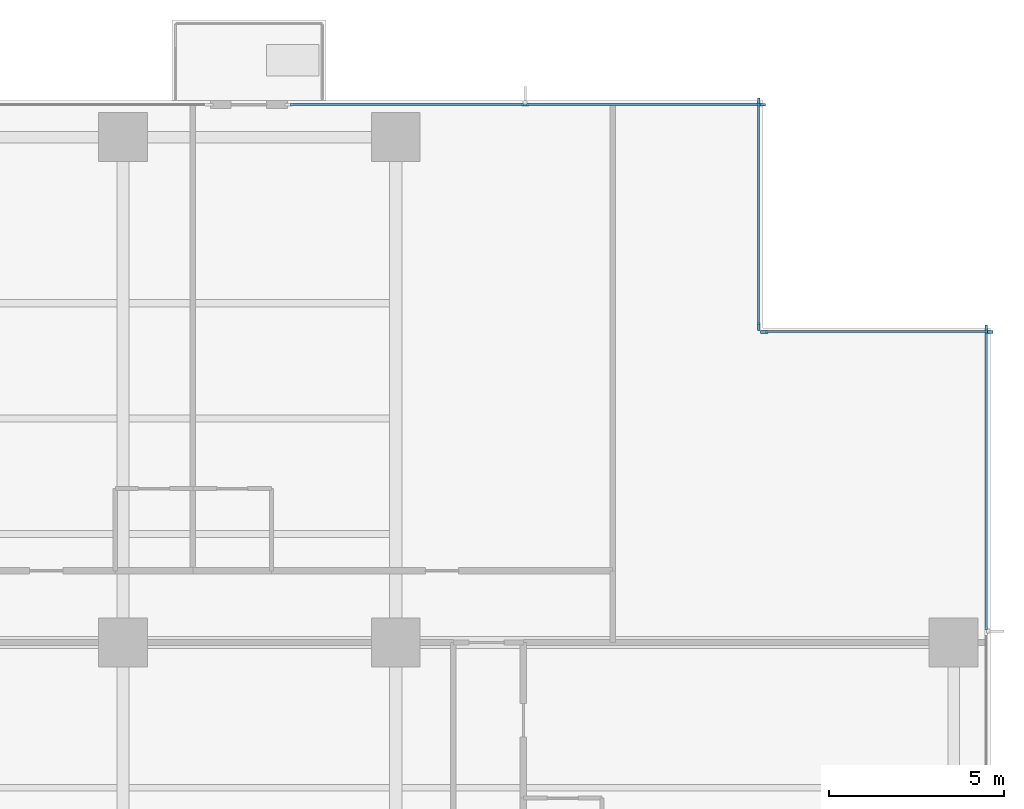
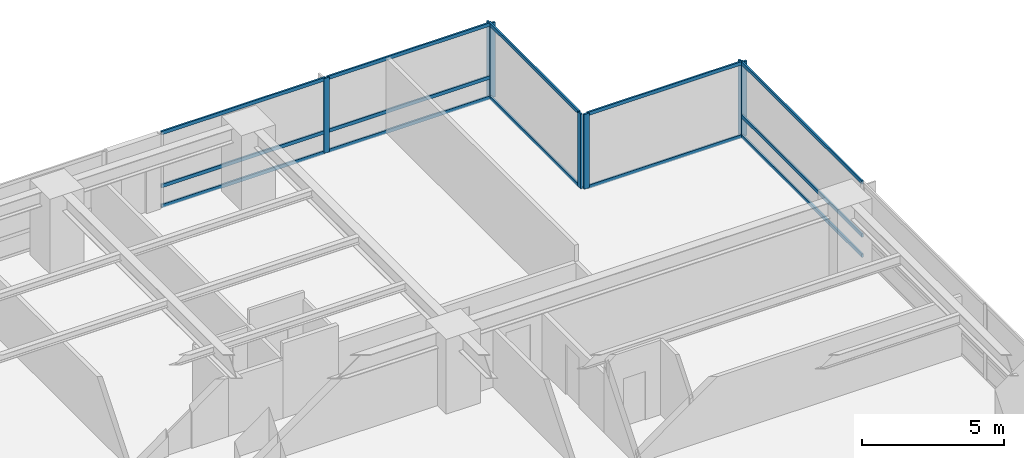
# One storey, part 5 of 16: 20 members, 4 elements without a shape of their own.
"""IFC4 building model written with IfcOpenShell, lengths in metres."""

from ifc_helpers import new_model, si_unit, direction, frame, origin, origin_2d, place, context, subcontext, project, spatial, rectangle, extrude, material, layer, layer_set, material_profile, profile_set, type_object, element, aggregate, save


model = new_model("IFC4")

# Units and contexts
model_context = context("Model", 3, precision=1e-05, world=origin(), true_north=direction((0.0, 1.0)))
body_context = subcontext(model_context, "Body", "Model", "MODEL_VIEW")
ifc_project = project(units=[si_unit("LENGTHUNIT", "METRE"), si_unit("AREAUNIT", "SQUARE_METRE"), si_unit("VOLUMEUNIT", "CUBIC_METRE"), si_unit("PLANEANGLEUNIT", "RADIAN"), si_unit("MASSUNIT", "GRAM", prefix="KILO")], contexts=[model_context])

# Site, building, storey
site_placement = place(None, origin())
site = spatial("IfcSite", under=ifc_project, at=site_placement, CompositionType="ELEMENT")
building_placement = place(site_placement, origin())
building = spatial("IfcBuilding", under=site, at=building_placement, Name="Qalmaran Belvedere Hotel", CompositionType="ELEMENT")
storey_placement = place(building_placement, frame((0.0, 0.0, 64.89990234375)))
storey = spatial("IfcBuildingStorey", under=building, at=storey_placement, Name="L16", CompositionType="ELEMENT", Elevation=64.89990234375)

# Curtain wall, member
ifc_material = material(Name="Anodised Bronze Aluminium", Category="aluminium")
ifc_layer = layer(ifc_material, 0.2099609375, Name="Anodised Bronze Aluminium")
ifc_layer_set = layer_set([ifc_layer], Name="Anodised Bronze Aluminium")
curtain_wall_type = type_object("IfcCurtainWallType", Name="CW2-TOWER-LOWER", PredefinedType="NOTDEFINED", material=ifc_layer_set)
curtain_wall_1_placement = place(storey_placement, origin())
curtain_wall_1 = element("IfcCurtainWall", 1, at=curtain_wall_1_placement, inside=storey, type_object=curtain_wall_type, Name="L16 Curtain Wall CW2", PredefinedType="NOTDEFINED")
ifc_material_profile_1 = material_profile(ifc_material, rectangle(XDim=0.074951171875, YDim=0.219970703125, at=origin_2d()), Name="CWM75X220")
ifc_profile_set_1 = profile_set([ifc_material_profile_1], Name="Anodised Bronze Aluminium")
member_type_1 = type_object("IfcMemberType", Name="CWM-75X220", PredefinedType="MULLION", material=ifc_profile_set_1)
member_1_placement = place(storey_placement, frame((61.679931640625, 41.96240234375, 0.0), z_axis=(0.0, 0.0, 1.0), x_axis=(-1.0, 0.0, 0.0)))
member_1 = element("IfcMember", 2, at=member_1_placement, type_object=member_type_1, Name="CW2 mullion 5", PredefinedType="MULLION", context=body_context, shape_type="SweptSolid", body=[
    extrude(rectangle(XDim=0.074951171875, YDim=0.219970703125, at=origin_2d()), origin(), (0.0, 0.0, 1.0), 3.22021484375),
])

# Curtain wall, members
curtain_wall_2_placement = place(storey_placement, origin())
curtain_wall_2 = element("IfcCurtainWall", 3, at=curtain_wall_2_placement, inside=storey, type_object=curtain_wall_type, Name="L16 Curtain Wall CW2", PredefinedType="NOTDEFINED")
member_2_placement = place(storey_placement, frame((61.762451171875, 41.8798828125, 0.0), z_axis=(0.0, 0.0, 1.0), x_axis=(0.0, -1.0, 0.0)))
member_2 = element("IfcMember", 4, at=member_2_placement, type_object=member_type_1, Name="CW2 mullion 1", PredefinedType="MULLION", context=body_context, shape_type="SweptSolid", body=[
    extrude(rectangle(XDim=0.074951171875, YDim=0.219970703125, at=origin_2d()), origin(), (0.0, 0.0, 1.0), 3.22021484375),
])
member_3_placement = place(storey_placement, frame((55.33740234375, 41.8798828125, 0.0), z_axis=(0.0, 0.0, 1.0), x_axis=(0.0, -1.0, 0.0)))
member_3 = element("IfcMember", 5, at=member_3_placement, type_object=member_type_1, Name="CW2 mullion 2", PredefinedType="MULLION", context=body_context, shape_type="SweptSolid", body=[
    extrude(rectangle(XDim=0.074951171875, YDim=0.219970703125, at=origin_2d()), origin(), (0.0, 0.0, 1.0), 3.22021484375),
])

curtain_wall_3_placement = place(storey_placement, origin())
curtain_wall_3 = element("IfcCurtainWall", 6, at=curtain_wall_3_placement, inside=storey, type_object=curtain_wall_type, Name="L16 Curtain Wall CW2", PredefinedType="NOTDEFINED")
member_4_placement = place(storey_placement, frame((55.179931640625, 42.03759765625, 0.0), z_axis=(0.0, 0.0, 1.0), x_axis=(-1.0, 0.0, 0.0)))
member_4 = element("IfcMember", 7, at=member_4_placement, type_object=member_type_1, Name="CW2 mullion 1", PredefinedType="MULLION", context=body_context, shape_type="SweptSolid", body=[
    extrude(rectangle(XDim=0.074951171875, YDim=0.219970703125, at=origin_2d()), origin(), (0.0, 0.0, 1.0), 3.22021484375),
])
member_5_placement = place(storey_placement, frame((55.179931640625, 48.46240234375, 0.0), z_axis=(0.0, 0.0, 1.0), x_axis=(-1.0, 0.0, 0.0)))
member_5 = element("IfcMember", 8, at=member_5_placement, type_object=member_type_1, Name="CW2 mullion 2", PredefinedType="MULLION", context=body_context, shape_type="SweptSolid", body=[
    extrude(rectangle(XDim=0.074951171875, YDim=0.219970703125, at=origin_2d()), origin(), (0.0, 0.0, 1.0), 3.22021484375),
])

curtain_wall_4_placement = place(storey_placement, origin())
curtain_wall_4 = element("IfcCurtainWall", 9, at=curtain_wall_4_placement, inside=storey, type_object=curtain_wall_type, Name="L16 Curtain Wall CW2", PredefinedType="NOTDEFINED")
member_6_placement = place(storey_placement, frame((55.262451171875, 48.3798828125, 0.0), z_axis=(0.0, 0.0, 1.0), x_axis=(0.0, -1.0, 0.0)))
member_6 = element("IfcMember", 10, at=member_6_placement, type_object=member_type_1, Name="CW2 mullion 1", PredefinedType="MULLION", context=body_context, shape_type="SweptSolid", body=[
    extrude(rectangle(XDim=0.074951171875, YDim=0.219970703125, at=origin_2d()), origin(), (0.0, 0.0, 1.0), 3.22021484375),
])
member_7_placement = place(storey_placement, frame((48.5, 48.3798828125, 0.0), z_axis=(0.0, 0.0, 1.0), x_axis=(0.0, -1.0, 0.0)))
member_7 = element("IfcMember", 11, at=member_7_placement, type_object=member_type_1, Name="CW2 mullion 2", PredefinedType="MULLION", context=body_context, shape_type="SweptSolid", body=[
    extrude(rectangle(XDim=0.074951171875, YDim=0.219970703125, at=origin_2d()), origin(), (0.0, 0.0, 1.0), 3.22021484375),
])

# Member
ifc_material_profile_2 = material_profile(ifc_material, rectangle(XDim=0.070068359375, YDim=0.14990234375, at=origin_2d()), Name="CWT70X150")
ifc_profile_set_2 = profile_set([ifc_material_profile_2], Name="Anodised Bronze Aluminium")
member_type_2 = type_object("IfcMemberType", Name="CWT-70X150", PredefinedType="USERDEFINED", material=ifc_profile_set_2)
member_8_placement = place(storey_placement, frame((61.679931640625, 33.362548828125, 0.03515625), z_axis=(0.0, 1.0, 0.0), x_axis=(-1.0, 0.0, 0.0)))
member_8 = element("IfcMember", 12, at=member_8_placement, type_object=member_type_2, Name="CW2 transom 4.1", ObjectType="TRANSOM", PredefinedType="USERDEFINED", context=body_context, shape_type="SweptSolid", body=[
    extrude(rectangle(XDim=0.070068359375, YDim=0.14990234375, at=origin_2d()), origin(), (0.0, 0.0, 1.0), 8.5625),
])

member_9_placement = place(storey_placement, frame((61.679931640625, 33.362548828125, 0.901611328125), z_axis=(0.0, 1.0, 0.0), x_axis=(-1.0, 0.0, 0.0)))
member_9 = element("IfcMember", 13, at=member_9_placement, type_object=member_type_2, Name="CW2 transom 4.2", ObjectType="TRANSOM", PredefinedType="USERDEFINED", context=body_context, shape_type="SweptSolid", body=[
    extrude(rectangle(XDim=0.070068359375, YDim=0.14990234375, at=origin_2d()), origin(), (0.0, 0.0, 1.0), 8.5625),
])

member_10_placement = place(storey_placement, frame((61.679931640625, 33.362548828125, 3.18505859375), z_axis=(0.0, 1.0, 0.0), x_axis=(-1.0, 0.0, 0.0)))
member_10 = element("IfcMember", 14, at=member_10_placement, type_object=member_type_2, Name="CW2 transom 4.3", ObjectType="TRANSOM", PredefinedType="USERDEFINED", context=body_context, shape_type="SweptSolid", body=[
    extrude(rectangle(XDim=0.070068359375, YDim=0.14990234375, at=origin_2d()), origin(), (0.0, 0.0, 1.0), 8.5625),
])

aggregate(curtain_wall_1, [member_1, member_8, member_9, member_10])

member_11_placement = place(storey_placement, frame((61.72509765625, 41.8798828125, 0.03515625), z_axis=(-1.0, 0.0, 0.0), x_axis=(0.0, -1.0, 0.0)))
member_11 = element("IfcMember", 15, at=member_11_placement, type_object=member_type_2, Name="CW2 transom 1.1", ObjectType="TRANSOM", PredefinedType="USERDEFINED", context=body_context, shape_type="SweptSolid", body=[
    extrude(rectangle(XDim=0.070068359375, YDim=0.14990234375, at=origin_2d()), origin(), (0.0, 0.0, 1.0), 6.35009765625),
])

member_12_placement = place(storey_placement, frame((61.72509765625, 41.8798828125, 3.18505859375), z_axis=(-1.0, 0.0, 0.0), x_axis=(0.0, -1.0, 0.0)))
member_12 = element("IfcMember", 16, at=member_12_placement, type_object=member_type_2, Name="CW2 transom 1.2", ObjectType="TRANSOM", PredefinedType="USERDEFINED", context=body_context, shape_type="SweptSolid", body=[
    extrude(rectangle(XDim=0.070068359375, YDim=0.14990234375, at=origin_2d()), origin(), (0.0, 0.0, 1.0), 6.35009765625),
])

aggregate(curtain_wall_2, [member_2, member_3, member_11, member_12])

member_13_placement = place(storey_placement, frame((55.179931640625, 42.074951171875, 0.03515625), z_axis=(0.0, 1.0, 0.0), x_axis=(-1.0, 0.0, 0.0)))
member_13 = element("IfcMember", 17, at=member_13_placement, type_object=member_type_2, Name="CW2 transom 1.1", ObjectType="TRANSOM", PredefinedType="USERDEFINED", context=body_context, shape_type="SweptSolid", body=[
    extrude(rectangle(XDim=0.070068359375, YDim=0.14990234375, at=origin_2d()), origin(), (0.0, 0.0, 1.0), 6.35009765625),
])

member_14_placement = place(storey_placement, frame((55.179931640625, 42.074951171875, 3.18505859375), z_axis=(0.0, 1.0, 0.0), x_axis=(-1.0, 0.0, 0.0)))
member_14 = element("IfcMember", 18, at=member_14_placement, type_object=member_type_2, Name="CW2 transom 1.2", ObjectType="TRANSOM", PredefinedType="USERDEFINED", context=body_context, shape_type="SweptSolid", body=[
    extrude(rectangle(XDim=0.070068359375, YDim=0.14990234375, at=origin_2d()), origin(), (0.0, 0.0, 1.0), 6.35009765625),
])

aggregate(curtain_wall_3, [member_4, member_5, member_13, member_14])

member_15_placement = place(storey_placement, frame((55.22509765625, 48.3798828125, 0.03515625), z_axis=(-1.0, 0.0, 0.0), x_axis=(0.0, -1.0, 0.0)))
member_15 = element("IfcMember", 19, at=member_15_placement, type_object=member_type_2, Name="CW2 transom 1.1", ObjectType="TRANSOM", PredefinedType="USERDEFINED", context=body_context, shape_type="SweptSolid", body=[
    extrude(rectangle(XDim=0.070068359375, YDim=0.14990234375, at=origin_2d()), origin(), (0.0, 0.0, 1.0), 6.6875),
])

member_16_placement = place(storey_placement, frame((55.22509765625, 48.3798828125, 0.901611328125), z_axis=(-1.0, 0.0, 0.0), x_axis=(0.0, -1.0, 0.0)))
member_16 = element("IfcMember", 20, at=member_16_placement, type_object=member_type_2, Name="CW2 transom 1.2", ObjectType="TRANSOM", PredefinedType="USERDEFINED", context=body_context, shape_type="SweptSolid", body=[
    extrude(rectangle(XDim=0.070068359375, YDim=0.14990234375, at=origin_2d()), origin(), (0.0, 0.0, 1.0), 6.6875),
])

member_17_placement = place(storey_placement, frame((55.22509765625, 48.3798828125, 3.18505859375), z_axis=(-1.0, 0.0, 0.0), x_axis=(0.0, -1.0, 0.0)))
member_17 = element("IfcMember", 21, at=member_17_placement, type_object=member_type_2, Name="CW2 transom 1.3", ObjectType="TRANSOM", PredefinedType="USERDEFINED", context=body_context, shape_type="SweptSolid", body=[
    extrude(rectangle(XDim=0.070068359375, YDim=0.14990234375, at=origin_2d()), origin(), (0.0, 0.0, 1.0), 6.6875),
])

member_18_placement = place(storey_placement, frame((48.46240234375, 48.3798828125, 0.03515625), z_axis=(-1.0, 0.0, 0.0), x_axis=(0.0, -1.0, 0.0)))
member_18 = element("IfcMember", 22, at=member_18_placement, type_object=member_type_2, Name="CW2 transom 2.1", ObjectType="TRANSOM", PredefinedType="USERDEFINED", context=body_context, shape_type="SweptSolid", body=[
    extrude(rectangle(XDim=0.070068359375, YDim=0.14990234375, at=origin_2d()), origin(), (0.0, 0.0, 1.0), 6.6875),
])

member_19_placement = place(storey_placement, frame((48.46240234375, 48.3798828125, 0.901611328125), z_axis=(-1.0, 0.0, 0.0), x_axis=(0.0, -1.0, 0.0)))
member_19 = element("IfcMember", 23, at=member_19_placement, type_object=member_type_2, Name="CW2 transom 2.2", ObjectType="TRANSOM", PredefinedType="USERDEFINED", context=body_context, shape_type="SweptSolid", body=[
    extrude(rectangle(XDim=0.070068359375, YDim=0.14990234375, at=origin_2d()), origin(), (0.0, 0.0, 1.0), 6.6875),
])

member_20_placement = place(storey_placement, frame((48.46240234375, 48.3798828125, 3.18505859375), z_axis=(-1.0, 0.0, 0.0), x_axis=(0.0, -1.0, 0.0)))
member_20 = element("IfcMember", 24, at=member_20_placement, type_object=member_type_2, Name="CW2 transom 2.3", ObjectType="TRANSOM", PredefinedType="USERDEFINED", context=body_context, shape_type="SweptSolid", body=[
    extrude(rectangle(XDim=0.070068359375, YDim=0.14990234375, at=origin_2d()), origin(), (0.0, 0.0, 1.0), 6.6875),
])

aggregate(curtain_wall_4, [member_6, member_7, member_15, member_16, member_17, member_18, member_19, member_20])

save(model, "model.ifc")
